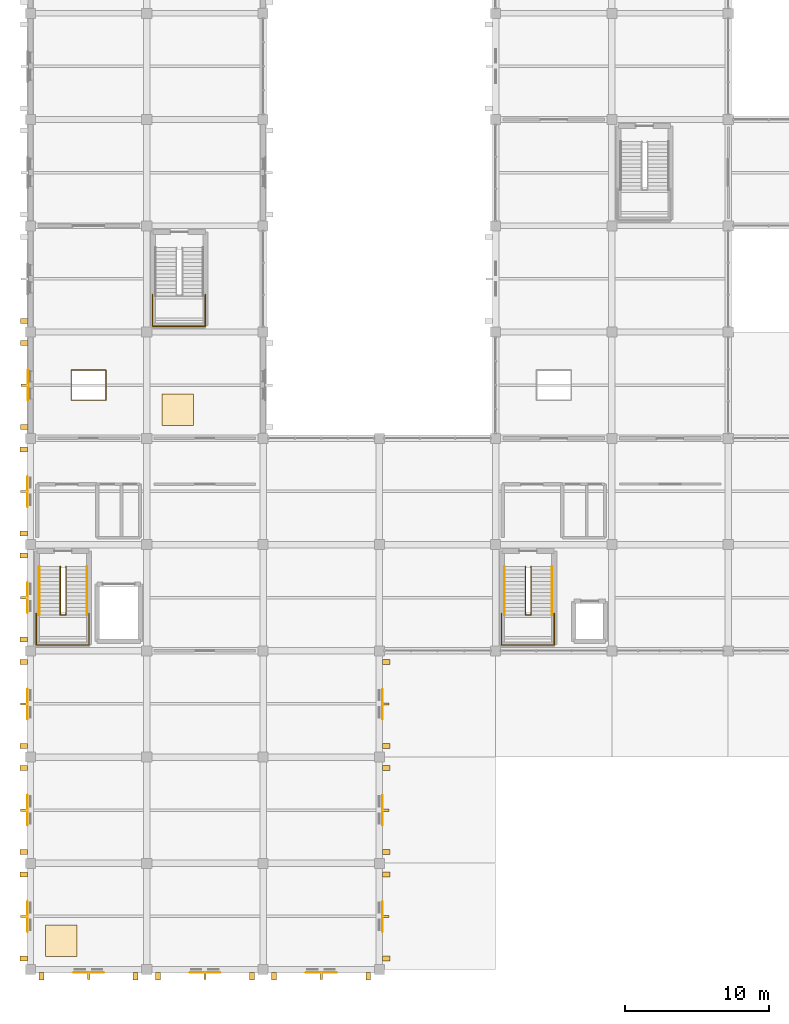
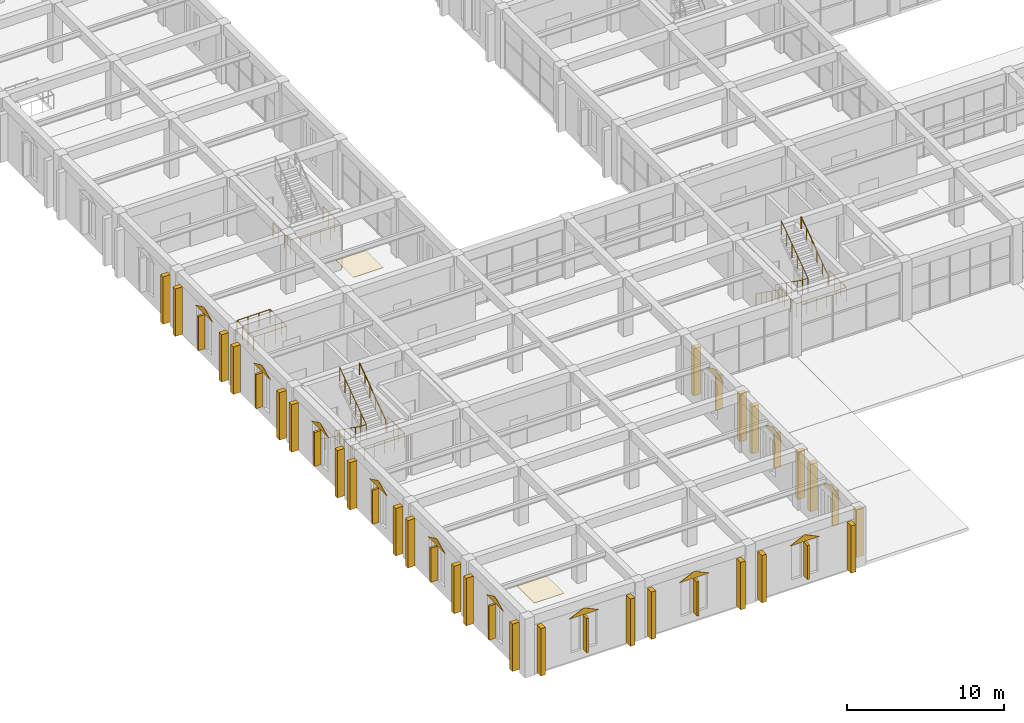
# One storey, part 155 of 161: 37 shading devices, 14 coverings, 10 railings.
"""IFC4 building model written with IfcOpenShell, lengths in metres."""

from ifc_helpers import new_model, si_unit, direction, frame, origin, origin_2d, place, context, subcontext, project, spatial, polyline, rectangle, circle, outline, extrude, material, layer, layer_set, type_object, element, save


model = new_model("IFC4")

# Units and contexts
model_context = context("Model", 3, precision=1e-05, world=origin(), true_north=direction((0.0, 1.0)))
body_context = subcontext(model_context, "Body", "Model", "MODEL_VIEW")
ifc_project = project(units=[si_unit("LENGTHUNIT", "METRE"), si_unit("AREAUNIT", "SQUARE_METRE"), si_unit("VOLUMEUNIT", "CUBIC_METRE"), si_unit("PLANEANGLEUNIT", "RADIAN"), si_unit("MASSUNIT", "GRAM", prefix="KILO")], contexts=[model_context])

# Site, building, storey
site_placement = place(None, origin())
site = spatial("IfcSite", under=ifc_project, at=site_placement, CompositionType="ELEMENT")
building_placement = place(site_placement, origin())
building = spatial("IfcBuilding", under=site, at=building_placement, Name="Cimatlan Art Gallery", CompositionType="ELEMENT")
storey_placement = place(building_placement, frame((0.0, 0.0, 5.39990234375)))
storey = spatial("IfcBuildingStorey", under=building, at=storey_placement, Name="L01", CompositionType="ELEMENT", Elevation=5.39990234375)

# Coverings
ifc_material_1 = material(Name="Micro-perforated acoustic gypsum ceiling")
ifc_layer_1 = layer(ifc_material_1, 0.030029296875)
ifc_layer_set_1 = layer_set([ifc_layer_1], Name="Micro-perforated acoustic gypsum ceiling")
covering_type_1 = type_object("IfcCoveringType", Name="COV-CEIL-ACOUSTIC-30", PredefinedType="CEILING", material=ifc_layer_set_1)
for number, where, z_axis, x_axis, name in (
    (1, (4.14990234375, 3.699951171875, 4.55029296875), (0.0, 0.0, 1.0), (1.0, 0.0, 0.0), "CLG-L01-CNS-01"),
    (2, (12.25, 40.699951171875, 4.5302734375), (0.0, 0.0, 1.0), (1.0, 0.0, 0.0), "CLG-L01-CNS-02B"),
):
    element("IfcCovering", number, at=place(storey_placement, frame(where, z_axis=z_axis, x_axis=x_axis)), inside=storey, type_object=covering_type_1, Name=name, PredefinedType="CEILING", context=body_context, shape_type="SweptSolid", body=[
        extrude(rectangle(XDim=2.199951171875, YDim=2.199951171875, at=origin_2d()), origin(), (0.0, 0.0, 1.0), 0.030029296875),
    ])
ifc_material_2 = material(Name="Queretaro cantera limestone ashlar hood-mould", Category="masonry")
ifc_layer_2 = layer(ifc_material_2, 0.0419921875)
ifc_layer_set_2 = layer_set([ifc_layer_2], Name="Queretaro cantera limestone ashlar hood-mould")
covering_type_2 = type_object("IfcCoveringType", Name="COV-CLAD-CANTERA-42", PredefinedType="CLADDING", material=ifc_layer_set_2)
for number, where, z_axis, x_axis, name in (
    (3, (7.14990234375, 1.511962890625, 3.330078125), (0.0, 1.0, 0.0), (-1.0, 0.0, 0.0), "CLD-015"),
    (4, (1.81201171875, 4.300048828125, 3.330078125), (1.0, 0.0, 0.0), (0.0, 1.0, 0.0), "CLD-016"),
):
    element("IfcCovering", number, at=place(storey_placement, frame(where, z_axis=z_axis, x_axis=x_axis)), inside=storey, type_object=covering_type_2, Name=name, PredefinedType="CLADDING", context=body_context, shape_type="SweptSolid", body=[
        extrude(outline(polyline([(0.0, 0.0), (2.199951171875, 0.0), (1.099853515625, 0.52001953125), (0.0, 0.0)])), origin(), (0.0, 0.0, -1.0), 0.0419921875),
    ])
covering_1_placement = place(storey_placement, frame((1.81201171875, 11.699951171875, 3.330078125), z_axis=(1.0, 0.0, 0.0), x_axis=(0.0, 1.0, 0.0)))
element("IfcCovering", 5, at=covering_1_placement, inside=storey, type_object=covering_type_2, Name="CLD-017", PredefinedType="CLADDING", context=body_context, shape_type="SweptSolid", body=[
    extrude(outline(polyline([(0.0, 0.0), (2.199951171875, 0.0), (1.10009765625, 0.52001953125), (0.0, 0.0)])), origin(), (0.0, 0.0, -1.0), 0.0419921875),
])
covering_2_placement = place(storey_placement, frame((1.81201171875, 19.10009765625, 3.330078125), z_axis=(1.0, 0.0, 0.0), x_axis=(0.0, 1.0, 0.0)))
element("IfcCovering", 6, at=covering_2_placement, inside=storey, type_object=covering_type_2, Name="CLD-018", PredefinedType="CLADDING", context=body_context, shape_type="SweptSolid", body=[
    extrude(outline(polyline([(0.0, 0.0), (2.199951171875, 0.0), (1.099853515625, 0.52001953125), (0.0, 0.0)])), origin(), (0.0, 0.0, -1.0), 0.0419921875),
])
covering_3_placement = place(storey_placement, frame((1.81201171875, 26.5, 3.330078125), z_axis=(1.0, 0.0, 0.0), x_axis=(0.0, 1.0, 0.0)))
element("IfcCovering", 7, at=covering_3_placement, inside=storey, type_object=covering_type_2, Name="CLD-019", PredefinedType="CLADDING", context=body_context, shape_type="SweptSolid", body=[
    extrude(outline(polyline([(0.0, 0.0), (2.199951171875, 0.0), (1.10009765625, 0.52001953125), (0.0, 0.0)])), origin(), (0.0, 0.0, -1.0), 0.0419921875),
])
covering_4_placement = place(storey_placement, frame((1.81201171875, 33.89990234375, 3.330078125), z_axis=(1.0, 0.0, 0.0), x_axis=(0.0, 1.0, 0.0)))
element("IfcCovering", 8, at=covering_4_placement, inside=storey, type_object=covering_type_2, Name="CLD-020", PredefinedType="CLADDING", context=body_context, shape_type="SweptSolid", body=[
    extrude(outline(polyline([(0.0, 0.0), (2.2001953125, 0.0), (1.10009765625, 0.52001953125), (0.0, 0.0)])), origin(), (0.0, 0.0, -1.0), 0.0419921875),
])
covering_5_placement = place(storey_placement, frame((1.839599609375, 41.300048828125, 3.330078125), z_axis=(1.0, 0.0, 0.0), x_axis=(0.0, 1.0, 0.0)))
element("IfcCovering", 9, at=covering_5_placement, inside=storey, type_object=covering_type_2, Name="CLD-021", PredefinedType="CLADDING", context=body_context, shape_type="SweptSolid", body=[
    extrude(outline(polyline([(0.0, 0.0), (2.199951171875, 0.0), (1.099853515625, 0.52001953125), (0.0, 0.0)])), origin(), (0.0, 0.0, -1.0), 0.0419921875),
])
covering_6_placement = place(storey_placement, frame((15.25, 1.511962890625, 3.330078125), z_axis=(0.0, 1.0, 0.0), x_axis=(-1.0, 0.0, 0.0)))
element("IfcCovering", 10, at=covering_6_placement, inside=storey, type_object=covering_type_2, Name="CLD-028", PredefinedType="CLADDING", context=body_context, shape_type="SweptSolid", body=[
    extrude(outline(polyline([(0.0, 0.0), (2.199951171875, 0.0), (1.10009765625, 0.52001953125), (0.0, 0.0)])), origin(), (0.0, 0.0, -1.0), 0.0419921875),
])
covering_7_placement = place(storey_placement, frame((23.35009765625, 1.511962890625, 3.330078125), z_axis=(0.0, 1.0, 0.0), x_axis=(-1.0, 0.0, 0.0)))
element("IfcCovering", 11, at=covering_7_placement, inside=storey, type_object=covering_type_2, Name="CLD-033", PredefinedType="CLADDING", context=body_context, shape_type="SweptSolid", body=[
    extrude(outline(polyline([(0.0, 0.0), (2.2001953125, 0.0), (1.10009765625, 0.52001953125), (0.0, 0.0)])), origin(), (0.0, 0.0, -1.0), 0.0419921875),
])
covering_8_placement = place(storey_placement, frame((26.488037109375, 6.5, 3.330078125), z_axis=(-1.0, 0.0, 0.0), x_axis=(0.0, -1.0, 0.0)))
element("IfcCovering", 12, at=covering_8_placement, inside=storey, type_object=covering_type_2, Name="CLD-034", PredefinedType="CLADDING", context=body_context, shape_type="SweptSolid", body=[
    extrude(outline(polyline([(0.0, 0.0), (2.199951171875, 0.0), (1.10009765625, 0.52001953125), (0.0, 0.0)])), origin(), (0.0, 0.0, -1.0), 0.0419921875),
])
covering_9_placement = place(storey_placement, frame((26.488037109375, 13.89990234375, 3.330078125), z_axis=(-1.0, 0.0, 0.0), x_axis=(0.0, -1.0, 0.0)))
element("IfcCovering", 13, at=covering_9_placement, inside=storey, type_object=covering_type_2, Name="CLD-035", PredefinedType="CLADDING", context=body_context, shape_type="SweptSolid", body=[
    extrude(outline(polyline([(0.0, 0.0), (2.199951171875, 0.0), (1.099853515625, 0.52001953125), (0.0, 0.0)])), origin(), (0.0, 0.0, -1.0), 0.0419921875),
])
covering_10_placement = place(storey_placement, frame((26.488037109375, 21.300048828125, 3.330078125), z_axis=(-1.0, 0.0, 0.0), x_axis=(0.0, -1.0, 0.0)))
element("IfcCovering", 14, at=covering_10_placement, inside=storey, type_object=covering_type_2, Name="CLD-036", PredefinedType="CLADDING", context=body_context, shape_type="SweptSolid", body=[
    extrude(outline(polyline([(0.0, 0.0), (2.199951171875, 0.0), (1.10009765625, 0.52001953125), (0.0, 0.0)])), origin(), (0.0, 0.0, -1.0), 0.0419921875),
])

# Railings
ifc_material_3 = material(Name="Painted steel and bronze interior balustrade", Category="steel")
railing_type_1 = type_object("IfcRailingType", Name="RL-BAL-INT-1120", PredefinedType="BALUSTRADE", material=ifc_material_3)
railing_1_placement = place(storey_placement, frame((2.409912109375, 26.510009765625, 2.400146484375)))
element("IfcRailing", 15, at=railing_1_placement, inside=storey, type_object=railing_type_1, Name="STR-C1-L01-LGRD", PredefinedType="BALUSTRADE", context=body_context, shape_type="SweptSolid", body=[
    extrude(circle(Radius=0.02392578125, at=origin_2d()), frame((0.0, 0.0, 1.09619140625), z_axis=(0.0, -1.0, 0.0), x_axis=(1.0, 0.0, 0.0)), (0.0, 0.0, 1.0), 2.199951171875),
    extrude(circle(Radius=0.02392578125, at=origin_2d()), frame((0.0, -2.199951171875, 1.09619140625), z_axis=(1.0, 0.0, 0.0), x_axis=(0.0, 1.0, 0.0)), (0.0, 0.0, 1.0), 3.670166015625),
    extrude(circle(Radius=0.02392578125, at=origin_2d()), frame((3.670166015625, -2.199951171875, 1.09619140625), z_axis=(0.0, 1.0, 0.0), x_axis=(-1.0, 0.0, 0.0)), (0.0, 0.0, 1.0), 2.199951171875),
    extrude(circle(Radius=0.02001953125, at=origin_2d()), origin(), (0.0, 0.0, 1.0), 1.072021484375),
    extrude(circle(Radius=0.02001953125, at=origin_2d()), frame((0.0, -0.7333984375, 0.0)), (0.0, 0.0, 1.0), 1.072021484375),
    extrude(circle(Radius=0.02001953125, at=origin_2d()), frame((0.0, -1.466552734375, 0.0)), (0.0, 0.0, 1.0), 1.072021484375),
    extrude(circle(Radius=0.02001953125, at=origin_2d()), frame((0.0, -2.199951171875, 0.0)), (0.0, 0.0, 1.0), 1.072021484375),
    extrude(circle(Radius=0.02001953125, at=origin_2d()), frame((0.734130859375, -2.199951171875, 0.0)), (0.0, 0.0, 1.0), 1.072021484375),
    extrude(circle(Radius=0.02001953125, at=origin_2d()), frame((1.468017578125, -2.199951171875, 0.0)), (0.0, 0.0, 1.0), 1.072021484375),
    extrude(circle(Radius=0.02001953125, at=origin_2d()), frame((2.2021484375, -2.199951171875, 0.0)), (0.0, 0.0, 1.0), 1.072021484375),
    extrude(circle(Radius=0.02001953125, at=origin_2d()), frame((2.93603515625, -2.199951171875, 0.0)), (0.0, 0.0, 1.0), 1.072021484375),
    extrude(circle(Radius=0.02001953125, at=origin_2d()), frame((3.670166015625, -2.199951171875, 0.0)), (0.0, 0.0, 1.0), 1.072021484375),
    extrude(circle(Radius=0.02001953125, at=origin_2d()), frame((3.670166015625, -1.466552734375, 0.0)), (0.0, 0.0, 1.0), 1.072021484375),
    extrude(circle(Radius=0.02001953125, at=origin_2d()), frame((3.670166015625, -0.7333984375, 0.0)), (0.0, 0.0, 1.0), 1.072021484375),
    extrude(circle(Radius=0.02001953125, at=origin_2d()), frame((3.670166015625, 0.0, 0.0)), (0.0, 0.0, 1.0), 1.072021484375),
])
railing_2_placement = place(storey_placement, frame((4.070068359375, 29.780029296875, 0.0)))
element("IfcRailing", 16, at=railing_2_placement, inside=storey, type_object=railing_type_1, Name="STR-C1-L01-GRD", PredefinedType="BALUSTRADE", context=body_context, shape_type="SweptSolid", body=[
    extrude(circle(Radius=0.02392578125, at=origin_2d()), frame((0.0, 0.0, 1.09619140625), z_axis=(0.0, -0.815353794257, 0.578963030072), x_axis=(1.0, 0.0, 0.0)), (0.0, 0.0, 1.0), 4.1455078125),
    extrude(circle(Radius=0.02392578125, at=origin_2d()), frame((0.0, -3.380126953125, 3.49609375), z_axis=(1.0, 0.0, 0.0), x_axis=(0.0, 1.0, 0.0)), (0.0, 0.0, 1.0), 0.39990234375),
    extrude(circle(Radius=0.02392578125, at=origin_2d()), frame((0.39990234375, -3.380126953125, 3.49609375), z_axis=(0.0, 0.815381594603, 0.578923876847), x_axis=(-1.0, 0.0, 0.0)), (0.0, 0.0, 1.0), 4.1455078125),
    extrude(circle(Radius=0.02001953125, at=origin_2d()), origin(), (0.0, 0.0, 1.0), 1.072021484375),
    extrude(circle(Radius=0.02001953125, at=origin_2d()), frame((0.0, -0.676025390625, 0.47998046875)), (0.0, 0.0, 1.0), 1.072021484375),
    extrude(circle(Radius=0.02001953125, at=origin_2d()), frame((0.0, -1.35205078125, 0.9599609375)), (0.0, 0.0, 1.0), 1.072021484375),
    extrude(circle(Radius=0.02001953125, at=origin_2d()), frame((0.0, -2.028076171875, 1.440185546875)), (0.0, 0.0, 1.0), 1.072021484375),
    extrude(circle(Radius=0.02001953125, at=origin_2d()), frame((0.0, -2.7041015625, 1.920166015625)), (0.0, 0.0, 1.0), 1.072021484375),
    extrude(circle(Radius=0.02001953125, at=origin_2d()), frame((0.0, -3.380126953125, 2.400146484375)), (0.0, 0.0, 1.0), 1.072021484375),
    extrude(circle(Radius=0.02001953125, at=origin_2d()), frame((0.39990234375, -3.380126953125, 2.400146484375)), (0.0, 0.0, 1.0), 1.072021484375),
    extrude(circle(Radius=0.02001953125, at=origin_2d()), frame((0.39990234375, -2.7041015625, 2.880126953125)), (0.0, 0.0, 1.0), 1.072021484375),
    extrude(circle(Radius=0.02001953125, at=origin_2d()), frame((0.39990234375, -2.028076171875, 3.360107421875)), (0.0, 0.0, 1.0), 1.072021484375),
    extrude(circle(Radius=0.02001953125, at=origin_2d()), frame((0.39990234375, -1.35205078125, 3.840087890625)), (0.0, 0.0, 1.0), 1.072021484375),
    extrude(circle(Radius=0.02001953125, at=origin_2d()), frame((0.39990234375, -0.676025390625, 4.320068359375)), (0.0, 0.0, 1.0), 1.072021484375),
    extrude(circle(Radius=0.02001953125, at=origin_2d()), frame((0.39990234375, 0.0, 4.800048828125)), (0.0, 0.0, 1.0), 1.072021484375),
])
railing_3_placement = place(storey_placement, frame((34.81005859375, 26.510009765625, 2.400146484375)))
element("IfcRailing", 17, at=railing_3_placement, inside=storey, type_object=railing_type_1, Name="STR-C2-L01-LGRD", PredefinedType="BALUSTRADE", context=body_context, shape_type="SweptSolid", body=[
    extrude(circle(Radius=0.02392578125, at=origin_2d()), frame((0.0, 0.0, 1.09619140625), z_axis=(0.0, -1.0, 0.0), x_axis=(1.0, 0.0, 0.0)), (0.0, 0.0, 1.0), 2.199951171875),
    extrude(circle(Radius=0.02392578125, at=origin_2d()), frame((0.0, -2.199951171875, 1.09619140625), z_axis=(1.0, 0.0, 0.0), x_axis=(0.0, 1.0, 0.0)), (0.0, 0.0, 1.0), 3.669921875),
    extrude(circle(Radius=0.02392578125, at=origin_2d()), frame((3.669921875, -2.199951171875, 1.09619140625), z_axis=(0.0, 1.0, 0.0), x_axis=(-1.0, 0.0, 0.0)), (0.0, 0.0, 1.0), 2.199951171875),
    extrude(circle(Radius=0.02001953125, at=origin_2d()), origin(), (0.0, 0.0, 1.0), 1.072021484375),
    extrude(circle(Radius=0.02001953125, at=origin_2d()), frame((0.0, -0.7333984375, 0.0)), (0.0, 0.0, 1.0), 1.072021484375),
    extrude(circle(Radius=0.02001953125, at=origin_2d()), frame((0.0, -1.466552734375, 0.0)), (0.0, 0.0, 1.0), 1.072021484375),
    extrude(circle(Radius=0.02001953125, at=origin_2d()), frame((0.0, -2.199951171875, 0.0)), (0.0, 0.0, 1.0), 1.072021484375),
    extrude(circle(Radius=0.02001953125, at=origin_2d()), frame((0.73388671875, -2.199951171875, 0.0)), (0.0, 0.0, 1.0), 1.072021484375),
    extrude(circle(Radius=0.02001953125, at=origin_2d()), frame((1.468017578125, -2.199951171875, 0.0)), (0.0, 0.0, 1.0), 1.072021484375),
    extrude(circle(Radius=0.02001953125, at=origin_2d()), frame((2.201904296875, -2.199951171875, 0.0)), (0.0, 0.0, 1.0), 1.072021484375),
    extrude(circle(Radius=0.02001953125, at=origin_2d()), frame((2.93603515625, -2.199951171875, 0.0)), (0.0, 0.0, 1.0), 1.072021484375),
    extrude(circle(Radius=0.02001953125, at=origin_2d()), frame((3.669921875, -2.199951171875, 0.0)), (0.0, 0.0, 1.0), 1.072021484375),
    extrude(circle(Radius=0.02001953125, at=origin_2d()), frame((3.669921875, -1.466552734375, 0.0)), (0.0, 0.0, 1.0), 1.072021484375),
    extrude(circle(Radius=0.02001953125, at=origin_2d()), frame((3.669921875, -0.7333984375, 0.0)), (0.0, 0.0, 1.0), 1.072021484375),
    extrude(circle(Radius=0.02001953125, at=origin_2d()), frame((3.669921875, 0.0, 0.0)), (0.0, 0.0, 1.0), 1.072021484375),
])
railing_4_placement = place(storey_placement, frame((36.469970703125, 29.780029296875, 0.0)))
element("IfcRailing", 18, at=railing_4_placement, inside=storey, type_object=railing_type_1, Name="STR-C2-L01-GRD", PredefinedType="BALUSTRADE", context=body_context, shape_type="SweptSolid", body=[
    extrude(circle(Radius=0.02392578125, at=origin_2d()), frame((0.0, 0.0, 1.09619140625), z_axis=(0.0, -0.815353794257, 0.578963030072), x_axis=(1.0, 0.0, 0.0)), (0.0, 0.0, 1.0), 4.1455078125),
    extrude(circle(Radius=0.02392578125, at=origin_2d()), frame((0.0, -3.380126953125, 3.49609375), z_axis=(1.0, 0.0, 0.0), x_axis=(0.0, 1.0, 0.0)), (0.0, 0.0, 1.0), 0.400146484375),
    extrude(circle(Radius=0.02392578125, at=origin_2d()), frame((0.400146484375, -3.380126953125, 3.49609375), z_axis=(0.0, 0.815381594603, 0.578923876847), x_axis=(-1.0, 0.0, 0.0)), (0.0, 0.0, 1.0), 4.1455078125),
    extrude(circle(Radius=0.02001953125, at=origin_2d()), origin(), (0.0, 0.0, 1.0), 1.072021484375),
    extrude(circle(Radius=0.02001953125, at=origin_2d()), frame((0.0, -0.676025390625, 0.47998046875)), (0.0, 0.0, 1.0), 1.072021484375),
    extrude(circle(Radius=0.02001953125, at=origin_2d()), frame((0.0, -1.35205078125, 0.9599609375)), (0.0, 0.0, 1.0), 1.072021484375),
    extrude(circle(Radius=0.02001953125, at=origin_2d()), frame((0.0, -2.028076171875, 1.440185546875)), (0.0, 0.0, 1.0), 1.072021484375),
    extrude(circle(Radius=0.02001953125, at=origin_2d()), frame((0.0, -2.7041015625, 1.920166015625)), (0.0, 0.0, 1.0), 1.072021484375),
    extrude(circle(Radius=0.02001953125, at=origin_2d()), frame((0.0, -3.380126953125, 2.400146484375)), (0.0, 0.0, 1.0), 1.072021484375),
    extrude(circle(Radius=0.02001953125, at=origin_2d()), frame((0.400146484375, -3.380126953125, 2.400146484375)), (0.0, 0.0, 1.0), 1.072021484375),
    extrude(circle(Radius=0.02001953125, at=origin_2d()), frame((0.400146484375, -2.7041015625, 2.880126953125)), (0.0, 0.0, 1.0), 1.072021484375),
    extrude(circle(Radius=0.02001953125, at=origin_2d()), frame((0.400146484375, -2.028076171875, 3.360107421875)), (0.0, 0.0, 1.0), 1.072021484375),
    extrude(circle(Radius=0.02001953125, at=origin_2d()), frame((0.400146484375, -1.35205078125, 3.840087890625)), (0.0, 0.0, 1.0), 1.072021484375),
    extrude(circle(Radius=0.02001953125, at=origin_2d()), frame((0.400146484375, -0.676025390625, 4.320068359375)), (0.0, 0.0, 1.0), 1.072021484375),
    extrude(circle(Radius=0.02001953125, at=origin_2d()), frame((0.400146484375, 0.0, 4.800048828125)), (0.0, 0.0, 1.0), 1.072021484375),
])
railing_5_placement = place(storey_placement, frame((10.510009765625, 48.7099609375, 2.400146484375)))
element("IfcRailing", 19, at=railing_5_placement, inside=storey, type_object=railing_type_1, Name="STR-C7-L01-LGRD", PredefinedType="BALUSTRADE", context=body_context, shape_type="SweptSolid", body=[
    extrude(circle(Radius=0.02392578125, at=origin_2d()), frame((0.0, 0.0, 1.09619140625), z_axis=(0.0, -1.0, 0.0), x_axis=(1.0, 0.0, 0.0)), (0.0, 0.0, 1.0), 2.199951171875),
    extrude(circle(Radius=0.02392578125, at=origin_2d()), frame((0.0, -2.199951171875, 1.09619140625), z_axis=(1.0, 0.0, 0.0), x_axis=(0.0, 1.0, 0.0)), (0.0, 0.0, 1.0), 3.669921875),
    extrude(circle(Radius=0.02392578125, at=origin_2d()), frame((3.669921875, -2.199951171875, 1.09619140625), z_axis=(0.0, 1.0, 0.0), x_axis=(-1.0, 0.0, 0.0)), (0.0, 0.0, 1.0), 2.199951171875),
    extrude(circle(Radius=0.02001953125, at=origin_2d()), origin(), (0.0, 0.0, 1.0), 1.072021484375),
    extrude(circle(Radius=0.02001953125, at=origin_2d()), frame((0.0, -0.7333984375, 0.0)), (0.0, 0.0, 1.0), 1.072021484375),
    extrude(circle(Radius=0.02001953125, at=origin_2d()), frame((0.0, -1.466552734375, 0.0)), (0.0, 0.0, 1.0), 1.072021484375),
    extrude(circle(Radius=0.02001953125, at=origin_2d()), frame((0.0, -2.199951171875, 0.0)), (0.0, 0.0, 1.0), 1.072021484375),
    extrude(circle(Radius=0.02001953125, at=origin_2d()), frame((0.73388671875, -2.199951171875, 0.0)), (0.0, 0.0, 1.0), 1.072021484375),
    extrude(circle(Radius=0.02001953125, at=origin_2d()), frame((1.468017578125, -2.199951171875, 0.0)), (0.0, 0.0, 1.0), 1.072021484375),
    extrude(circle(Radius=0.02001953125, at=origin_2d()), frame((2.201904296875, -2.199951171875, 0.0)), (0.0, 0.0, 1.0), 1.072021484375),
    extrude(circle(Radius=0.02001953125, at=origin_2d()), frame((2.93603515625, -2.199951171875, 0.0)), (0.0, 0.0, 1.0), 1.072021484375),
    extrude(circle(Radius=0.02001953125, at=origin_2d()), frame((3.669921875, -2.199951171875, 0.0)), (0.0, 0.0, 1.0), 1.072021484375),
    extrude(circle(Radius=0.02001953125, at=origin_2d()), frame((3.669921875, -1.466552734375, 0.0)), (0.0, 0.0, 1.0), 1.072021484375),
    extrude(circle(Radius=0.02001953125, at=origin_2d()), frame((3.669921875, -0.7333984375, 0.0)), (0.0, 0.0, 1.0), 1.072021484375),
    extrude(circle(Radius=0.02001953125, at=origin_2d()), frame((3.669921875, 0.0, 0.0)), (0.0, 0.0, 1.0), 1.072021484375),
])
railing_6_placement = place(storey_placement, frame((4.840087890625, 41.340087890625, 0.0)))
element("IfcRailing", 20, at=railing_6_placement, inside=storey, type_object=railing_type_1, Name="GR-OCU-L01-B1S", PredefinedType="BALUSTRADE", context=body_context, shape_type="SweptSolid", body=[
    extrude(circle(Radius=0.02392578125, at=origin_2d()), frame((0.0, 0.0, 1.09619140625), z_axis=(1.0, 0.0, 0.0), x_axis=(0.0, 1.0, 0.0)), (0.0, 0.0, 1.0), 2.419921875),
    extrude(circle(Radius=0.02392578125, at=origin_2d()), frame((2.419921875, 0.0, 1.09619140625), z_axis=(0.0, 1.0, 0.0), x_axis=(-1.0, 0.0, 0.0)), (0.0, 0.0, 1.0), 2.119873046875),
    extrude(circle(Radius=0.02392578125, at=origin_2d()), frame((2.419921875, 2.119873046875, 1.09619140625), z_axis=(-1.0, 0.0, 0.0), x_axis=(0.0, -1.0, 0.0)), (0.0, 0.0, 1.0), 2.419921875),
    extrude(circle(Radius=0.02392578125, at=origin_2d()), frame((0.0, 2.119873046875, 1.09619140625), z_axis=(0.0, -1.0, 0.0), x_axis=(1.0, 0.0, 0.0)), (0.0, 0.0, 1.0), 2.080078125),
    extrude(circle(Radius=0.02001953125, at=origin_2d()), origin(), (0.0, 0.0, 1.0), 1.072021484375),
    extrude(circle(Radius=0.02001953125, at=origin_2d()), frame((0.806640625, 0.0, 0.0)), (0.0, 0.0, 1.0), 1.072021484375),
    extrude(circle(Radius=0.02001953125, at=origin_2d()), frame((1.61328125, 0.0, 0.0)), (0.0, 0.0, 1.0), 1.072021484375),
    extrude(circle(Radius=0.02001953125, at=origin_2d()), frame((2.419921875, 0.0, 0.0)), (0.0, 0.0, 1.0), 1.072021484375),
    extrude(circle(Radius=0.02001953125, at=origin_2d()), frame((2.419921875, 0.70654296875, 0.0)), (0.0, 0.0, 1.0), 1.072021484375),
    extrude(circle(Radius=0.02001953125, at=origin_2d()), frame((2.419921875, 1.413330078125, 0.0)), (0.0, 0.0, 1.0), 1.072021484375),
    extrude(circle(Radius=0.02001953125, at=origin_2d()), frame((2.419921875, 2.119873046875, 0.0)), (0.0, 0.0, 1.0), 1.072021484375),
    extrude(circle(Radius=0.02001953125, at=origin_2d()), frame((1.61328125, 2.119873046875, 0.0)), (0.0, 0.0, 1.0), 1.072021484375),
    extrude(circle(Radius=0.02001953125, at=origin_2d()), frame((0.806640625, 2.119873046875, 0.0)), (0.0, 0.0, 1.0), 1.072021484375),
    extrude(circle(Radius=0.02001953125, at=origin_2d()), frame((0.0, 2.119873046875, 0.0)), (0.0, 0.0, 1.0), 1.072021484375),
    extrude(circle(Radius=0.02001953125, at=origin_2d()), frame((0.0, 1.426513671875, 0.0)), (0.0, 0.0, 1.0), 1.072021484375),
    extrude(circle(Radius=0.02001953125, at=origin_2d()), frame((0.0, 0.733154296875, 0.0)), (0.0, 0.0, 1.0), 1.072021484375),
    extrude(circle(Radius=0.02001953125, at=origin_2d()), frame((0.0, 0.039794921875, 0.0)), (0.0, 0.0, 1.0), 1.072021484375),
])
ifc_material_4 = material(Name="Brushed bronze stair handrail")
railing_type_2 = type_object("IfcRailingType", Name="RL-HND-INT-920", PredefinedType="HANDRAIL", material=ifc_material_4)
railing_7_placement = place(storey_placement, frame((2.610107421875, 29.780029296875, 0.0)))
element("IfcRailing", 21, at=railing_7_placement, inside=storey, type_object=railing_type_2, Name="STR-C1-L01-HR1", PredefinedType="HANDRAIL", context=body_context, shape_type="SweptSolid", body=[
    extrude(circle(Radius=0.02197265625, at=origin_2d()), frame((0.0, 0.0, 0.89794921875), z_axis=(0.0, -0.815353794257, 0.578963030072), x_axis=(1.0, 0.0, 0.0)), (0.0, 0.0, 1.0), 4.1455078125),
    extrude(circle(Radius=0.01904296875, at=origin_2d()), origin(), (0.0, 0.0, 1.0), 0.8759765625),
    extrude(circle(Radius=0.01904296875, at=origin_2d()), frame((0.0, -0.676025390625, 0.47998046875)), (0.0, 0.0, 1.0), 0.8759765625),
    extrude(circle(Radius=0.01904296875, at=origin_2d()), frame((0.0, -1.35205078125, 0.9599609375)), (0.0, 0.0, 1.0), 0.8759765625),
    extrude(circle(Radius=0.01904296875, at=origin_2d()), frame((0.0, -2.028076171875, 1.440185546875)), (0.0, 0.0, 1.0), 0.8759765625),
    extrude(circle(Radius=0.01904296875, at=origin_2d()), frame((0.0, -2.7041015625, 1.920166015625)), (0.0, 0.0, 1.0), 0.8759765625),
    extrude(circle(Radius=0.01904296875, at=origin_2d()), frame((0.0, -3.380126953125, 2.400146484375)), (0.0, 0.0, 1.0), 0.8759765625),
])
railing_8_placement = place(storey_placement, frame((5.929931640625, 26.39990234375, 2.400146484375)))
element("IfcRailing", 22, at=railing_8_placement, inside=storey, type_object=railing_type_2, Name="STR-C1-L01-HR2", PredefinedType="HANDRAIL", context=body_context, shape_type="SweptSolid", body=[
    extrude(circle(Radius=0.02197265625, at=origin_2d()), frame((0.0, 0.0, 0.89794921875), z_axis=(0.0, 0.815381594603, 0.578923876847), x_axis=(-1.0, 0.0, 0.0)), (0.0, 0.0, 1.0), 4.1455078125),
    extrude(circle(Radius=0.01904296875, at=origin_2d()), origin(), (0.0, 0.0, 1.0), 0.8759765625),
    extrude(circle(Radius=0.01904296875, at=origin_2d()), frame((0.0, 0.676025390625, 0.47998046875)), (0.0, 0.0, 1.0), 0.8759765625),
    extrude(circle(Radius=0.01904296875, at=origin_2d()), frame((0.0, 1.35205078125, 0.9599609375)), (0.0, 0.0, 1.0), 0.8759765625),
    extrude(circle(Radius=0.01904296875, at=origin_2d()), frame((0.0, 2.028076171875, 1.43994140625)), (0.0, 0.0, 1.0), 0.8759765625),
    extrude(circle(Radius=0.01904296875, at=origin_2d()), frame((0.0, 2.7041015625, 1.919921875)), (0.0, 0.0, 1.0), 0.8759765625),
    extrude(circle(Radius=0.01904296875, at=origin_2d()), frame((0.0, 3.380126953125, 2.39990234375)), (0.0, 0.0, 1.0), 0.8759765625),
])
railing_9_placement = place(storey_placement, frame((35.010009765625, 29.780029296875, 0.0)))
element("IfcRailing", 23, at=railing_9_placement, inside=storey, type_object=railing_type_2, Name="STR-C2-L01-HR1", PredefinedType="HANDRAIL", context=body_context, shape_type="SweptSolid", body=[
    extrude(circle(Radius=0.02197265625, at=origin_2d()), frame((0.0, 0.0, 0.89794921875), z_axis=(0.0, -0.815353794257, 0.578963030072), x_axis=(1.0, 0.0, 0.0)), (0.0, 0.0, 1.0), 4.1455078125),
    extrude(circle(Radius=0.01904296875, at=origin_2d()), origin(), (0.0, 0.0, 1.0), 0.8759765625),
    extrude(circle(Radius=0.01904296875, at=origin_2d()), frame((0.0, -0.676025390625, 0.47998046875)), (0.0, 0.0, 1.0), 0.8759765625),
    extrude(circle(Radius=0.01904296875, at=origin_2d()), frame((0.0, -1.35205078125, 0.9599609375)), (0.0, 0.0, 1.0), 0.8759765625),
    extrude(circle(Radius=0.01904296875, at=origin_2d()), frame((0.0, -2.028076171875, 1.440185546875)), (0.0, 0.0, 1.0), 0.8759765625),
    extrude(circle(Radius=0.01904296875, at=origin_2d()), frame((0.0, -2.7041015625, 1.920166015625)), (0.0, 0.0, 1.0), 0.8759765625),
    extrude(circle(Radius=0.01904296875, at=origin_2d()), frame((0.0, -3.380126953125, 2.400146484375)), (0.0, 0.0, 1.0), 0.8759765625),
])
railing_10_placement = place(storey_placement, frame((38.330078125, 26.39990234375, 2.400146484375)))
element("IfcRailing", 24, at=railing_10_placement, inside=storey, type_object=railing_type_2, Name="STR-C2-L01-HR2", PredefinedType="HANDRAIL", context=body_context, shape_type="SweptSolid", body=[
    extrude(circle(Radius=0.02197265625, at=origin_2d()), frame((0.0, 0.0, 0.89794921875), z_axis=(0.0, 0.815381594603, 0.578923876847), x_axis=(-1.0, 0.0, 0.0)), (0.0, 0.0, 1.0), 4.1455078125),
    extrude(circle(Radius=0.01904296875, at=origin_2d()), origin(), (0.0, 0.0, 1.0), 0.8759765625),
    extrude(circle(Radius=0.01904296875, at=origin_2d()), frame((0.0, 0.676025390625, 0.47998046875)), (0.0, 0.0, 1.0), 0.8759765625),
    extrude(circle(Radius=0.01904296875, at=origin_2d()), frame((0.0, 1.35205078125, 0.9599609375)), (0.0, 0.0, 1.0), 0.8759765625),
    extrude(circle(Radius=0.01904296875, at=origin_2d()), frame((0.0, 2.028076171875, 1.43994140625)), (0.0, 0.0, 1.0), 0.8759765625),
    extrude(circle(Radius=0.01904296875, at=origin_2d()), frame((0.0, 2.7041015625, 1.919921875)), (0.0, 0.0, 1.0), 0.8759765625),
    extrude(circle(Radius=0.01904296875, at=origin_2d()), frame((0.0, 3.380126953125, 2.39990234375)), (0.0, 0.0, 1.0), 0.8759765625),
])

# Shading devices
ifc_material_5 = material(Name="Queretaro cantera limestone buttress pilaster", Category="masonry")
shading_device_type_1 = type_object("IfcShadingDeviceType", Name="SHD-BUT-520", PredefinedType="USERDEFINED", material=ifc_material_5)
for number, where, z_axis, x_axis, name in (
    (25, (9.325927734375, 1.23193359375, 0.06005859375), (0.0, 0.0, 1.0), (-1.0, 0.0, 0.0), "BUT-0121"),
    (26, (2.77392578125, 1.23193359375, 0.06005859375), (0.0, 0.0, 1.0), (-1.0, 0.0, 0.0), "BUT-0122"),
    (27, (1.531982421875, 2.47412109375, 0.06005859375), (0.0, 0.0, 1.0), (0.0, 1.0, 0.0), "BUT-0123"),
    (28, (1.531982421875, 8.325927734375, 0.06005859375), (0.0, 0.0, 1.0), (0.0, 1.0, 0.0), "BUT-0124"),
    (29, (1.531982421875, 9.8740234375, 0.06005859375), (0.0, 0.0, 1.0), (0.0, 1.0, 0.0), "BUT-0125"),
    (30, (1.531982421875, 15.72607421875, 0.06005859375), (0.0, 0.0, 1.0), (0.0, 1.0, 0.0), "BUT-0126"),
    (31, (1.531982421875, 17.27392578125, 0.06005859375), (0.0, 0.0, 1.0), (0.0, 1.0, 0.0), "BUT-0127"),
    (32, (1.531982421875, 23.1259765625, 0.06005859375), (0.0, 0.0, 1.0), (0.0, 1.0, 0.0), "BUT-0128"),
    (33, (1.531982421875, 24.674072265625, 0.06005859375), (0.0, 0.0, 1.0), (0.0, 1.0, 0.0), "BUT-0129"),
    (34, (1.531982421875, 30.52587890625, 0.06005859375), (0.0, 0.0, 1.0), (0.0, 1.0, 0.0), "BUT-0130"),
    (35, (1.531982421875, 32.073974609375, 0.06005859375), (0.0, 0.0, 1.0), (0.0, 1.0, 0.0), "BUT-0131"),
    (36, (1.531982421875, 37.926025390625, 0.06005859375), (0.0, 0.0, 1.0), (0.0, 1.0, 0.0), "BUT-0132"),
    (37, (1.5595703125, 39.47412109375, 0.06005859375), (0.0, 0.0, 1.0), (0.0, 1.0, 0.0), "BUT-0133"),
    (38, (1.5595703125, 45.325927734375, 0.06005859375), (0.0, 0.0, 1.0), (0.0, 1.0, 0.0), "BUT-0134"),
    (39, (1.5595703125, 46.8740234375, 0.06005859375), (0.0, 0.0, 1.0), (0.0, 1.0, 0.0), "BUT-0135"),
    (40, (17.426025390625, 1.23193359375, 0.06005859375), (0.0, 0.0, 1.0), (-1.0, 0.0, 0.0), "BUT-0147"),
    (41, (10.8740234375, 1.23193359375, 0.06005859375), (0.0, 0.0, 1.0), (-1.0, 0.0, 0.0), "BUT-0148"),
    (42, (25.52587890625, 1.23193359375, 0.06005859375), (0.0, 0.0, 1.0), (-1.0, 0.0, 0.0), "BUT-0157"),
    (43, (18.97412109375, 1.23193359375, 0.06005859375), (0.0, 0.0, 1.0), (-1.0, 0.0, 0.0), "BUT-0158"),
    (44, (26.76806640625, 8.325927734375, 0.06005859375), (0.0, 0.0, 1.0), (0.0, -1.0, 0.0), "BUT-0159"),
    (45, (26.76806640625, 2.47412109375, 0.06005859375), (0.0, 0.0, 1.0), (0.0, -1.0, 0.0), "BUT-0160"),
    (46, (26.76806640625, 15.72607421875, 0.06005859375), (0.0, 0.0, 1.0), (0.0, -1.0, 0.0), "BUT-0161"),
    (47, (26.76806640625, 9.8740234375, 0.06005859375), (0.0, 0.0, 1.0), (0.0, -1.0, 0.0), "BUT-0162"),
    (48, (26.76806640625, 23.1259765625, 0.06005859375), (0.0, 0.0, 1.0), (0.0, -1.0, 0.0), "BUT-0163"),
    (49, (26.76806640625, 17.27392578125, 0.06005859375), (0.0, 0.0, 1.0), (0.0, -1.0, 0.0), "BUT-0164"),
):
    element("IfcShadingDevice", number, at=place(storey_placement, frame(where, z_axis=z_axis, x_axis=x_axis)), inside=storey, type_object=shading_device_type_1, Name=name, ObjectType="FIN", PredefinedType="USERDEFINED", context=body_context, shape_type="SweptSolid", body=[
        extrude(rectangle(XDim=0.340087890625, YDim=0.52001953125, at=origin_2d()), origin(), (0.0, 0.0, 1.0), 3.675048828125),
    ])
ifc_material_6 = material(Name="Queretaro cantera limestone lancet mullion fin", Category="masonry")
shading_device_type_2 = type_object("IfcShadingDeviceType", Name="SHD-FIN-480", PredefinedType="USERDEFINED", material=ifc_material_6)
for number, where, z_axis, x_axis, name in (
    (50, (6.050048828125, 1.251953125, 0.650146484375), (0.0, 0.0, 1.0), (-1.0, 0.0, 0.0), "FIN-024"),
    (51, (1.552001953125, 5.39990234375, 0.650146484375), (0.0, 0.0, 1.0), (0.0, 1.0, 0.0), "FIN-025"),
    (52, (1.552001953125, 12.800048828125, 0.650146484375), (0.0, 0.0, 1.0), (0.0, 1.0, 0.0), "FIN-026"),
    (53, (1.552001953125, 20.199951171875, 0.650146484375), (0.0, 0.0, 1.0), (0.0, 1.0, 0.0), "FIN-027"),
    (54, (1.552001953125, 27.60009765625, 0.650146484375), (0.0, 0.0, 1.0), (0.0, 1.0, 0.0), "FIN-028"),
    (55, (1.552001953125, 35.0, 0.650146484375), (0.0, 0.0, 1.0), (0.0, 1.0, 0.0), "FIN-029"),
    (56, (1.57958984375, 42.39990234375, 0.650146484375), (0.0, 0.0, 1.0), (0.0, 1.0, 0.0), "FIN-030"),
    (57, (14.14990234375, 1.251953125, 0.650146484375), (0.0, 0.0, 1.0), (-1.0, 0.0, 0.0), "FIN-037"),
    (58, (22.25, 1.251953125, 0.650146484375), (0.0, 0.0, 1.0), (-1.0, 0.0, 0.0), "FIN-042"),
    (59, (26.748046875, 5.39990234375, 0.650146484375), (0.0, 0.0, 1.0), (0.0, -1.0, 0.0), "FIN-043"),
    (60, (26.748046875, 12.800048828125, 0.650146484375), (0.0, 0.0, 1.0), (0.0, -1.0, 0.0), "FIN-044"),
    (61, (26.748046875, 20.199951171875, 0.650146484375), (0.0, 0.0, 1.0), (0.0, -1.0, 0.0), "FIN-045"),
):
    element("IfcShadingDevice", number, at=place(storey_placement, frame(where, z_axis=z_axis, x_axis=x_axis)), inside=storey, type_object=shading_device_type_2, Name=name, ObjectType="FIN", PredefinedType="USERDEFINED", context=body_context, shape_type="SweptSolid", body=[
        extrude(rectangle(XDim=0.159912109375, YDim=0.47998046875, at=origin_2d()), origin(), (0.0, 0.0, 1.0), 2.64990234375),
    ])

save(model, "model.ifc")
